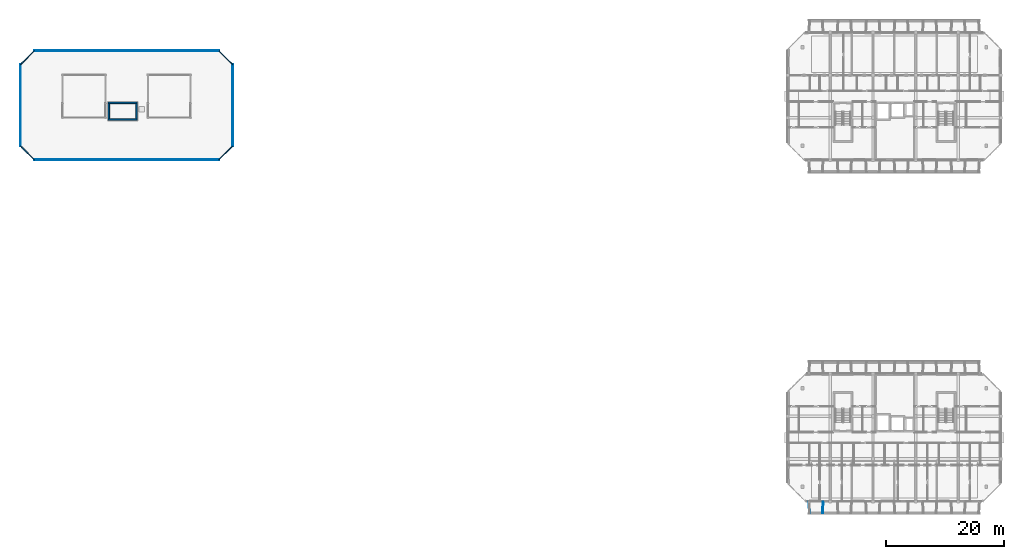
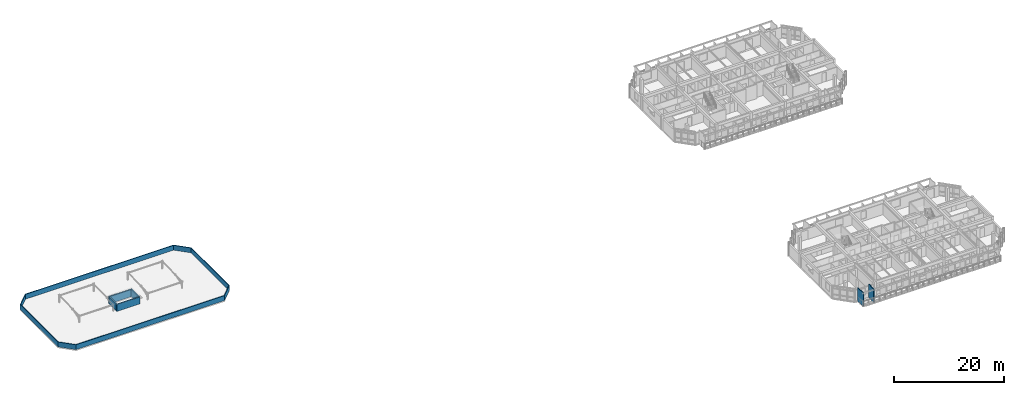
# One storey, part 15 of 31: 14 walls.
"""IFC4 building model written with IfcOpenShell, lengths in metres."""

from ifc_helpers import new_model, si_unit, direction, frame, frame_2d, origin, place, context, subcontext, project, spatial, rectangle, extrude, material, layer, layer_set, type_object, element, save


model = new_model("IFC4")

# Units and contexts
model_context = context("Model", 3, precision=1e-05, world=origin(), true_north=direction((0.0, 1.0)))
body_context = subcontext(model_context, "Body", "Model", "MODEL_VIEW")
ifc_project = project(units=[si_unit("LENGTHUNIT", "METRE"), si_unit("AREAUNIT", "SQUARE_METRE"), si_unit("VOLUMEUNIT", "CUBIC_METRE"), si_unit("PLANEANGLEUNIT", "RADIAN"), si_unit("MASSUNIT", "GRAM", prefix="KILO")], contexts=[model_context])

# Site, building, storey
site_placement = place(None, origin())
site = spatial("IfcSite", under=ifc_project, at=site_placement, CompositionType="ELEMENT")
building_placement = place(site_placement, origin())
building = spatial("IfcBuilding", under=site, at=building_placement, Name="Ochrevale Crest", CompositionType="ELEMENT")
storey_placement = place(building_placement, frame((0.0, 0.0, 37.050048828125)))
storey = spatial("IfcBuildingStorey", under=building, at=storey_placement, Name="L11", CompositionType="ELEMENT", Elevation=37.050048828125)

# Walls
ifc_material_1 = material(Name="Precast concrete C50/60", Category="concrete")
ifc_layer_1 = layer(ifc_material_1, 0.2548828125)
ifc_layer_set_1 = layer_set([ifc_layer_1], Name="Precast concrete C50/60")
wall_type_1 = type_object("IfcWallType", Name="WL-CORE-EXT-255", PredefinedType="SHEAR", material=ifc_layer_set_1)
for number, where, z_axis, x_axis, name in (
    (1, (14.87255859375, 78.89990234375, 0.0), (0.0, 0.0, 1.0), (1.0, 0.0, 0.0), "Block B lift overrun enclosure wall S"),
    (2, (14.87255859375, 81.699951171875, 0.0), (0.0, 0.0, 1.0), (1.0, 0.0, 0.0), "Block B lift overrun enclosure wall N"),
):
    element("IfcWall", number, at=place(storey_placement, frame(where, z_axis=z_axis, x_axis=x_axis)), inside=storey, type_object=wall_type_1, Name=name, PredefinedType="SHEAR", context=body_context, shape_type="SweptSolid", body=[
        extrude(rectangle(XDim=4.905029296875, YDim=0.2548828125, at=frame_2d((2.45263671875, 0.0))), origin(), (0.0, 0.0, 1.0), 1.570068359375),
    ])
for number, where, z_axis, x_axis, name in (
    (3, (15.0, 79.027587890625, 0.0), (0.0, 0.0, 1.0), (0.0, 1.0, 0.0), "Block B lift overrun enclosure wall W"),
    (4, (19.64990234375, 79.027587890625, 0.0), (0.0, 0.0, 1.0), (0.0, 1.0, 0.0), "Block B lift overrun enclosure wall E"),
):
    element("IfcWall", number, at=place(storey_placement, frame(where, z_axis=z_axis, x_axis=x_axis)), inside=storey, type_object=wall_type_1, Name=name, PredefinedType="SHEAR", context=body_context, shape_type="SweptSolid", body=[
        extrude(rectangle(XDim=2.544921875, YDim=0.2548828125, at=frame_2d((1.2724609375, 0.0))), origin(), (0.0, 0.0, 1.0), 1.570068359375),
    ])
ifc_material_2 = material(Name="Precast concrete C40/50", Category="concrete")
ifc_layer_2 = layer(ifc_material_2, 0.1650390625)
ifc_layer_set_2 = layer_set([ifc_layer_2], Name="Precast concrete C40/50")
wall_type_2 = type_object("IfcWallType", Name="WL-HC-CHEEK-165", PredefinedType="ELEMENTEDWALL", material=ifc_layer_set_2)
wall_1_placement = place(storey_placement, frame((133.199951171875, 14.3798828125, 0.0), z_axis=(0.0, 0.0, 1.0), x_axis=(0.071317687608, -0.997453651772, 0.0)))
element("IfcWall", 5, at=wall_1_placement, inside=storey, type_object=wall_type_2, Name="Block C L11 S precast honeycomb cheek 1", PredefinedType="ELEMENTEDWALL", context=body_context, shape_type="SweptSolid", body=[
    extrude(rectangle(XDim=1.96484375, YDim=0.1650390625, at=frame_2d((0.982421875, 0.0))), origin(), (0.0, 0.0, 1.0), 2.949951171875),
])
wall_2_placement = place(storey_placement, frame((135.60009765625, 14.3798828125, 0.0), z_axis=(0.0, 0.0, 1.0), x_axis=(-0.061170732449, -0.998127317276, 0.0)))
element("IfcWall", 6, at=wall_2_placement, inside=storey, type_object=wall_type_2, Name="Block C L11 S precast honeycomb cheek 2", PredefinedType="ELEMENTEDWALL", context=body_context, shape_type="SweptSolid", body=[
    extrude(rectangle(XDim=1.963623046875, YDim=0.1650390625, at=frame_2d((0.98193359375, 0.0))), origin(), (0.0, 0.0, 1.0), 2.949951171875),
])
ifc_layer_3 = layer(ifc_material_2, 0.14990234375)
ifc_layer_set_3 = layer_set([ifc_layer_3], Name="Precast concrete C40/50")
wall_type_3 = type_object("IfcWallType", Name="WL-PARAPET-150", PredefinedType="PARAPET", material=ifc_layer_set_3)
wall_3_placement = place(storey_placement, frame((2.39990234375, 72.080078125, 0.0), z_axis=(0.0, 0.0, 1.0), x_axis=(1.0, 0.0, 0.0)))
element("IfcWall", 7, at=wall_3_placement, inside=storey, type_object=wall_type_3, Name="Block B rooftop perimeter parapet wall 1", PredefinedType="PARAPET", context=body_context, shape_type="SweptSolid", body=[
    extrude(rectangle(XDim=31.2001953125, YDim=0.14990234375, at=frame_2d((15.60009765625, 0.0))), origin(), (0.0, 0.0, 1.0), 1.099853515625),
])
wall_4_placement = place(storey_placement, frame((33.54345703125, 72.056640625, 0.0), z_axis=(0.0, 0.0, 1.0), x_axis=(0.707106781187, 0.707106781187, 0.0)))
element("IfcWall", 8, at=wall_4_placement, inside=storey, type_object=wall_type_3, Name="Block B rooftop perimeter parapet wall 2", PredefinedType="PARAPET", context=body_context, shape_type="SweptSolid", body=[
    extrude(rectangle(XDim=3.39404296875, YDim=0.14990234375, at=frame_2d((1.697021484375, 0.0))), origin(), (0.0, 0.0, 1.0), 1.099853515625),
])
wall_5_placement = place(storey_placement, frame((35.919921875, 74.39990234375, 0.0), z_axis=(0.0, 0.0, 1.0), x_axis=(0.0, 1.0, 0.0)))
element("IfcWall", 9, at=wall_5_placement, inside=storey, type_object=wall_type_3, Name="Block B rooftop perimeter parapet wall 3", PredefinedType="PARAPET", context=body_context, shape_type="SweptSolid", body=[
    extrude(rectangle(XDim=13.800048828125, YDim=0.14990234375, at=frame_2d((6.89990234375, 0.0))), origin(), (0.0, 0.0, 1.0), 1.099853515625),
])
wall_6_placement = place(storey_placement, frame((35.943359375, 88.143310546875, 0.0), z_axis=(0.0, 0.0, 1.0), x_axis=(-0.707070815327, 0.707142745217, 0.0)))
element("IfcWall", 10, at=wall_6_placement, inside=storey, type_object=wall_type_3, Name="Block B rooftop perimeter parapet wall 4", PredefinedType="PARAPET", context=body_context, shape_type="SweptSolid", body=[
    extrude(rectangle(XDim=3.39404296875, YDim=0.14990234375, at=frame_2d((1.697021484375, 0.0))), origin(), (0.0, 0.0, 1.0), 1.099853515625),
])
wall_7_placement = place(storey_placement, frame((33.60009765625, 90.52001953125, 0.0), z_axis=(0.0, 0.0, 1.0), x_axis=(-1.0, 0.0, 0.0)))
element("IfcWall", 11, at=wall_7_placement, inside=storey, type_object=wall_type_3, Name="Block B rooftop perimeter parapet wall 5", PredefinedType="PARAPET", context=body_context, shape_type="SweptSolid", body=[
    extrude(rectangle(XDim=31.2001953125, YDim=0.14990234375, at=frame_2d((15.60009765625, 0.0))), origin(), (0.0, 0.0, 1.0), 1.099853515625),
])
wall_8_placement = place(storey_placement, frame((2.45654296875, 90.54345703125, 0.0), z_axis=(0.0, 0.0, 1.0), x_axis=(-0.707070815327, -0.707142745217, 0.0)))
element("IfcWall", 12, at=wall_8_placement, inside=storey, type_object=wall_type_3, Name="Block B rooftop perimeter parapet wall 6", PredefinedType="PARAPET", context=body_context, shape_type="SweptSolid", body=[
    extrude(rectangle(XDim=3.39404296875, YDim=0.14990234375, at=frame_2d((1.697021484375, 0.0))), origin(), (0.0, 0.0, 1.0), 1.099853515625),
])
wall_9_placement = place(storey_placement, frame((0.080078125, 88.199951171875, 0.0), z_axis=(0.0, 0.0, 1.0), x_axis=(0.0, -1.0, 0.0)))
element("IfcWall", 13, at=wall_9_placement, inside=storey, type_object=wall_type_3, Name="Block B rooftop perimeter parapet wall 7", PredefinedType="PARAPET", context=body_context, shape_type="SweptSolid", body=[
    extrude(rectangle(XDim=13.800048828125, YDim=0.14990234375, at=frame_2d((6.89990234375, 0.0))), origin(), (0.0, 0.0, 1.0), 1.099853515625),
])
wall_10_placement = place(storey_placement, frame((0.056640625, 74.45654296875, 0.0), z_axis=(0.0, 0.0, 1.0), x_axis=(0.707106781187, -0.707106781187, 0.0)))
element("IfcWall", 14, at=wall_10_placement, inside=storey, type_object=wall_type_3, Name="Block B rooftop perimeter parapet wall 8", PredefinedType="PARAPET", context=body_context, shape_type="SweptSolid", body=[
    extrude(rectangle(XDim=3.39404296875, YDim=0.14990234375, at=frame_2d((1.697021484375, 0.0))), origin(), (0.0, 0.0, 1.0), 1.099853515625),
])

save(model, "model.ifc")
